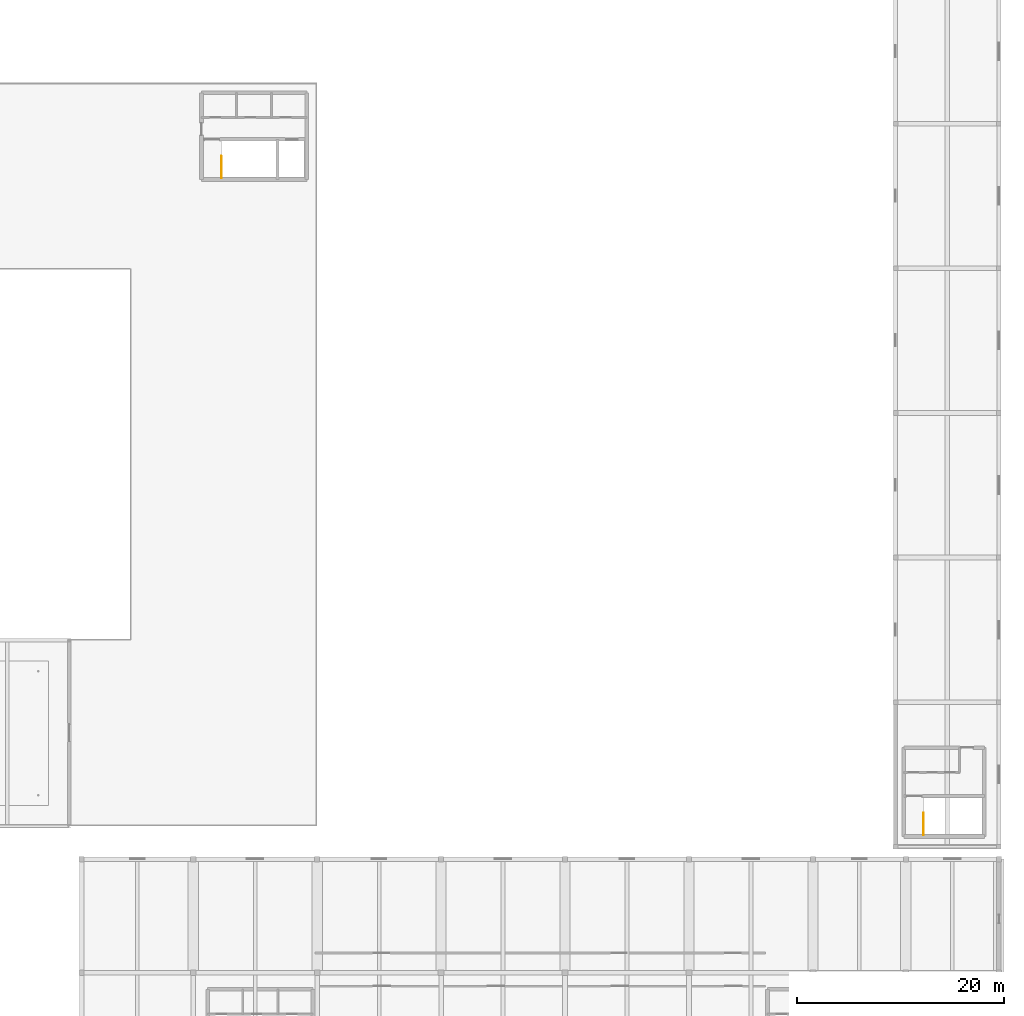
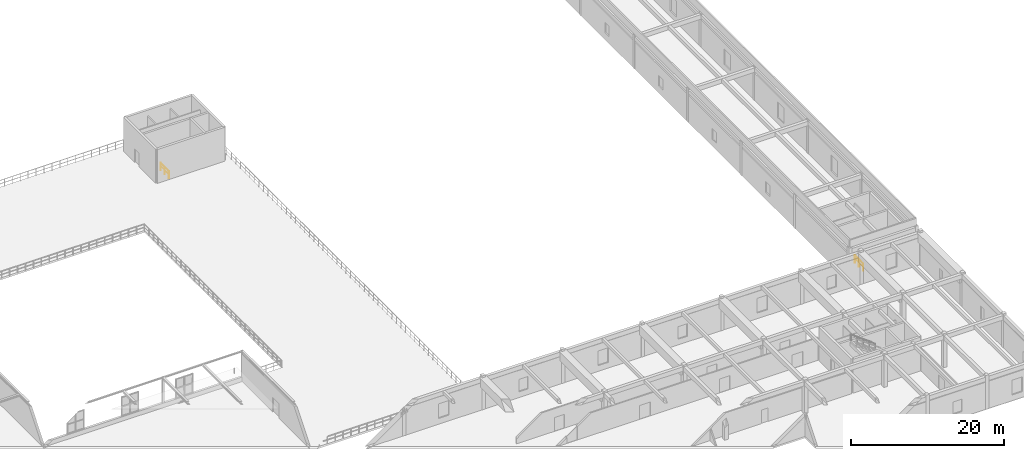
# One storey, part 97 of 97: 2 railings.
"""IFC4 building model written with IfcOpenShell, lengths in metres."""

from ifc_helpers import new_model, si_unit, derived_unit, direction, frame, origin, origin_2d, place, context, subcontext, project, spatial, circle, extrude, material, type_object, element, save


model = new_model("IFC4")

# Units and contexts
model_context = context("Model", 3, precision=1e-05, world=origin(), true_north=direction((0.0, 1.0)))
body_context = subcontext(model_context, "Body", "Model", "MODEL_VIEW")
ifc_project = project(units=[si_unit("LENGTHUNIT", "METRE"), si_unit("AREAUNIT", "SQUARE_METRE"), si_unit("VOLUMEUNIT", "CUBIC_METRE"), si_unit("PLANEANGLEUNIT", "RADIAN"), si_unit("MASSUNIT", "GRAM", prefix="KILO"), derived_unit("THERMALTRANSMITTANCEUNIT", [(si_unit("POWERUNIT", "WATT"), 1), (si_unit("LENGTHUNIT", "METRE"), -2), (si_unit("THERMODYNAMICTEMPERATUREUNIT", "KELVIN"), -1)])], contexts=[model_context])

# Site, building, storey
site_placement = place(None, origin())
site = spatial("IfcSite", under=ifc_project, at=site_placement, CompositionType="ELEMENT")
building_placement = place(site_placement, origin())
building = spatial("IfcBuilding", under=site, at=building_placement, Name="Almenara Railside Exhibition Hall", CompositionType="ELEMENT")
storey_placement = place(building_placement, frame((0.0, 0.0, 10.800048828125)))
storey = spatial("IfcBuildingStorey", under=building, at=storey_placement, Name="L02", CompositionType="ELEMENT", Elevation=10.800048828125)

# Railings
ifc_material = material(Name="Dark wrought-iron stair balustrade")
railing_type = type_object("IfcRailingType", Name="Stair Well Guard Rail 1120mm", PredefinedType="BALUSTRADE", material=ifc_material)
railing_1_placement = place(storey_placement, frame((128.719970703125, 98.739990234375, 0.0)))
element("IfcRailing", 1, at=railing_1_placement, inside=storey, type_object=railing_type, Name="SG-L02-0076", PredefinedType="BALUSTRADE", context=body_context, shape_type="SweptSolid", body=[
    extrude(circle(Radius=0.02392578125, at=origin_2d()), frame((0.0, 0.0, 1.09619140625), z_axis=(0.0, 1.0, 0.0), x_axis=(-1.0, 0.0, 0.0)), (0.0, 0.0, 1.0), 2.130126953125),
    extrude(circle(Radius=0.01416015625, at=origin_2d()), frame((0.0, 0.0, 0.56005859375), z_axis=(0.0, 1.0, 0.0), x_axis=(-1.0, 0.0, 0.0)), (0.0, 0.0, 1.0), 2.130126953125),
    extrude(circle(Radius=0.02099609375, at=origin_2d()), origin(), (0.0, 0.0, 1.0), 1.072021484375),
    extrude(circle(Radius=0.02099609375, at=origin_2d()), frame((0.0, 1.06494140625, 0.0)), (0.0, 0.0, 1.0), 1.072021484375),
    extrude(circle(Radius=0.02099609375, at=origin_2d()), frame((0.0, 2.130126953125, 0.0)), (0.0, 0.0, 1.0), 1.072021484375),
])
railing_2_placement = place(storey_placement, frame((196.719970703125, 35.139892578125, 0.0)))
element("IfcRailing", 2, at=railing_2_placement, inside=storey, type_object=railing_type, Name="SG-L02-0084", PredefinedType="BALUSTRADE", context=body_context, shape_type="SweptSolid", body=[
    extrude(circle(Radius=0.02392578125, at=origin_2d()), frame((0.0, 0.0, 1.09619140625), z_axis=(0.0, 1.0, 0.0), x_axis=(-1.0, 0.0, 0.0)), (0.0, 0.0, 1.0), 2.150146484375),
    extrude(circle(Radius=0.01416015625, at=origin_2d()), frame((0.0, 0.0, 0.56005859375), z_axis=(0.0, 1.0, 0.0), x_axis=(-1.0, 0.0, 0.0)), (0.0, 0.0, 1.0), 2.150146484375),
    extrude(circle(Radius=0.02099609375, at=origin_2d()), origin(), (0.0, 0.0, 1.0), 1.072021484375),
    extrude(circle(Radius=0.02099609375, at=origin_2d()), frame((0.0, 1.0751953125, 0.0)), (0.0, 0.0, 1.0), 1.072021484375),
    extrude(circle(Radius=0.02099609375, at=origin_2d()), frame((0.0, 2.150146484375, 0.0)), (0.0, 0.0, 1.0), 1.072021484375),
])

save(model, "model.ifc")
